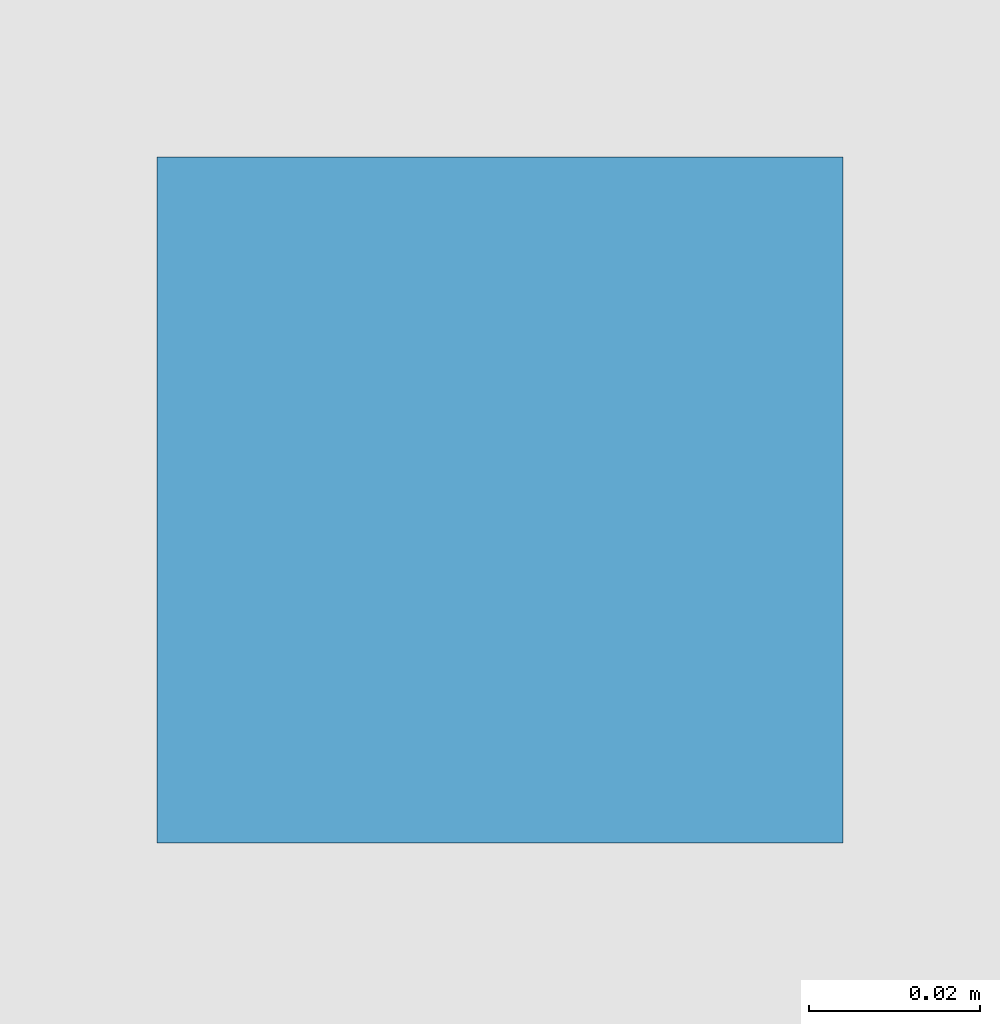
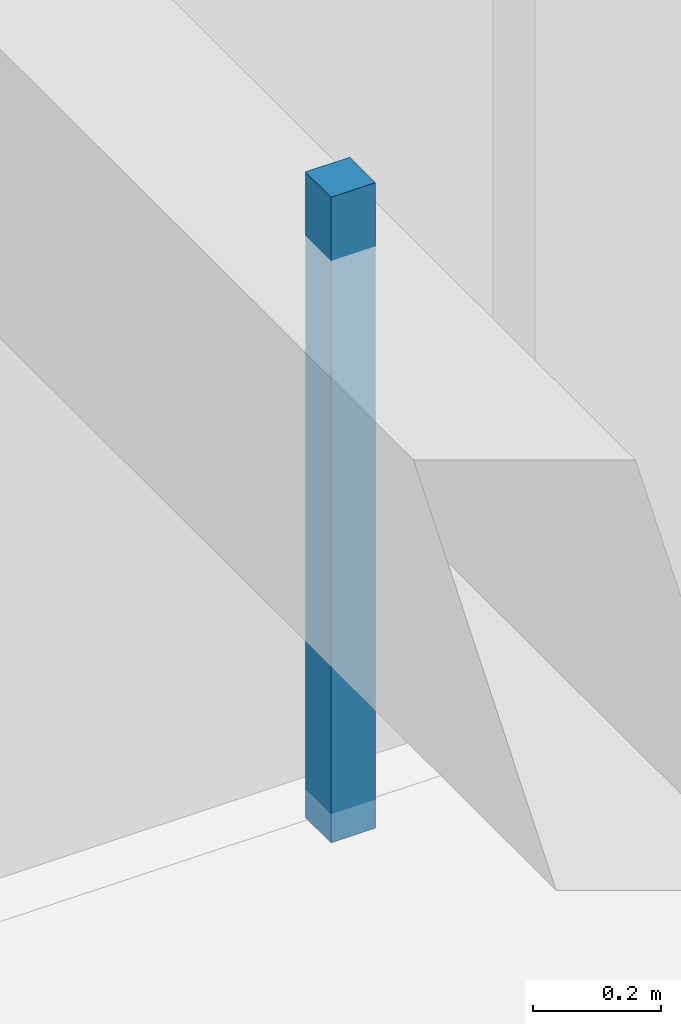
# One storey, part 126 of 144: 1 discrete accessory.
"""IFC4 building model written with IfcOpenShell, lengths in metres."""

from ifc_helpers import new_model, si_unit, direction, frame, origin, origin_2d, place, context, subcontext, project, spatial, rectangle, extrude, material, layer, layer_set, type_object, element, save


model = new_model("IFC4")

# Units and contexts
model_context = context("Model", 3, precision=1e-05, world=origin(), true_north=direction((0.0, 1.0)))
body_context = subcontext(model_context, "Body", "Model", "MODEL_VIEW")
ifc_project = project(units=[si_unit("LENGTHUNIT", "METRE"), si_unit("AREAUNIT", "SQUARE_METRE"), si_unit("VOLUMEUNIT", "CUBIC_METRE"), si_unit("PLANEANGLEUNIT", "RADIAN"), si_unit("MASSUNIT", "GRAM", prefix="KILO")], contexts=[model_context])

# Site, building, storey
site_placement = place(None, origin())
site = spatial("IfcSite", under=ifc_project, at=site_placement, CompositionType="ELEMENT")
building_placement = place(site_placement, origin())
building = spatial("IfcBuilding", under=site, at=building_placement, Name="Varnabhumi Central Station", CompositionType="ELEMENT")
storey_placement = place(building_placement, frame((0.0, 0.0, 4.800048828125)))
storey = spatial("IfcBuildingStorey", under=building, at=storey_placement, Name="L01", CompositionType="ELEMENT", Elevation=4.800048828125)

# Discrete accessory
ifc_material = material(Name="Structural steel E350", Category="steel")
ifc_layer = layer(ifc_material, 0.159912109375, Name="Structural steel E350", Category="steel")
ifc_layer_set = layer_set([ifc_layer], Name="Structural steel E350")
discrete_accessory_type = type_object("IfcDiscreteAccessoryType", Name="ACC-SHADE-BRKT", PredefinedType="BRACKET", material=ifc_layer_set)
discrete_accessory_placement = place(storey_placement, frame((132.050048828125, 4.5, 3.43994140625), z_axis=(0.0, 0.0, 1.0), x_axis=(1.0, 0.0, 0.0)))
element("IfcDiscreteAccessory", 1, at=discrete_accessory_placement, inside=storey, type_object=discrete_accessory_type, Name="Lost Property and Station Archive Store Ceiling Hanger", PredefinedType="BRACKET", context=body_context, shape_type="SweptSolid", body=[
    extrude(rectangle(XDim=0.080078125, YDim=0.080078125, at=origin_2d()), origin(), (0.0, 0.0, 1.0), 1.22998046875),
])

save(model, "model.ifc")
